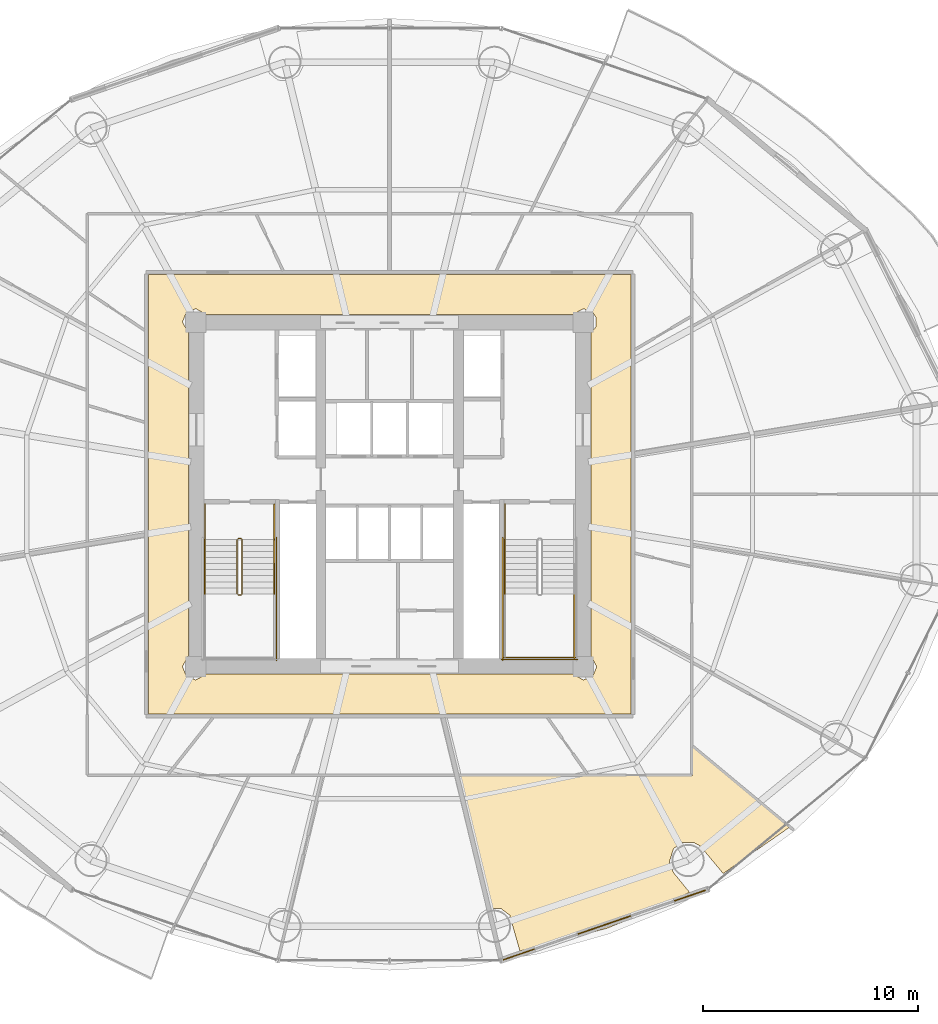
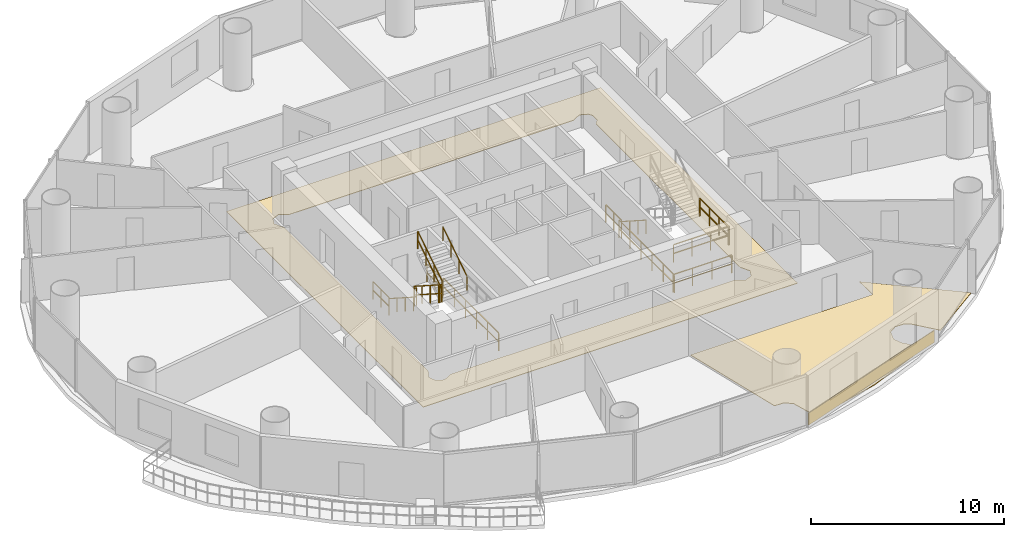
# One storey, part 27 of 29: 15 railings, 3 coverings.
"""IFC4 building model written with IfcOpenShell, lengths in metres."""

from ifc_helpers import new_model, si_unit, direction, frame, origin, origin_2d, place, context, subcontext, project, spatial, polyline, rectangle, outline, extrude, source, transform, mapped, material, layer, layer_set, type_object, element, save


model = new_model("IFC4")

# Units and contexts
model_context = context("Model", 3, precision=1e-05, world=origin(), true_north=direction((-0.2419218956, 0.970295726276)))
body_context = subcontext(model_context, "Body", "Model", "MODEL_VIEW")
ifc_project = project(units=[si_unit("LENGTHUNIT", "METRE"), si_unit("AREAUNIT", "SQUARE_METRE"), si_unit("VOLUMEUNIT", "CUBIC_METRE"), si_unit("PLANEANGLEUNIT", "RADIAN"), si_unit("MASSUNIT", "GRAM", prefix="KILO")], contexts=[model_context])

# Site, building, storey
site_placement = place(None, origin())
site = spatial("IfcSite", under=ifc_project, at=site_placement, CompositionType="ELEMENT")
building_placement = place(site_placement, origin())
building = spatial("IfcBuilding", under=site, at=building_placement, Name="Cobrevalo Terracotta Tower", CompositionType="ELEMENT")
storey_placement = place(building_placement, frame((0.0, 0.0, 83.39990234375)))
storey = spatial("IfcBuildingStorey", under=building, at=storey_placement, Name="L21", CompositionType="ELEMENT", Elevation=83.39990234375)

# Coverings
ifc_material_1 = material(Name="Engineered Brazilian hardwood flooring", Category="wood")
ifc_layer_1 = layer(ifc_material_1, 0.028076171875)
ifc_layer_set_1 = layer_set([ifc_layer_1], Name="Engineered Brazilian hardwood flooring")
covering_type_1 = type_object("IfcCoveringType", Name="Engineered Hardwood Suite Flooring 28", PredefinedType="FLOORING", material=ifc_layer_set_1)
covering_1_placement = place(storey_placement, origin())
element("IfcCovering", 1, at=covering_1_placement, inside=storey, type_object=covering_type_1, Name="Flat L21D Penthouse Living and Dining Room floor finish", PredefinedType="FLOORING", context=body_context, shape_type="SweptSolid", body=[
    extrude(outline(polyline([(53.488525390625, 9.193359375), (52.422119140625, 10.474853515625), (52.11962890625, 10.6376953125), (51.608642578125, 10.639404296875), (51.18310546875, 10.35693359375), (50.9853515625, 9.713134765625), (51.1787109375, 9.2412109375), (51.92431640625, 8.32666015625), (51.161376953125, 7.904052734375), (48.073486328125, 6.641357421875), (44.05078125, 5.59814453125), (43.578125, 7.261962890625), (43.170166015625, 7.5693359375), (42.62109375, 7.584716796875), (41.146240234375, 13.7451171875), (52.054931640625, 13.7451171875), (52.054931640625, 15.0966796875), (56.57275390625, 11.34326171875), (53.488525390625, 9.193359375)])), origin(), (0.0, 0.0, 1.0), 0.030029296875),
])
ifc_material_2 = material(Name="Honed terracotta and granite tile", Category="masonry")
ifc_layer_2 = layer(ifc_material_2, 0.034912109375)
ifc_layer_set_2 = layer_set([ifc_layer_2], Name="Honed terracotta and granite tile")
covering_type_2 = type_object("IfcCoveringType", Name="Honed Terracotta & Granite Interior Flooring 35", PredefinedType="FLOORING", material=ifc_layer_set_2)
covering_2_placement = place(storey_placement, origin())
element("IfcCovering", 2, at=covering_2_placement, inside=storey, type_object=covering_type_2, Name="L21 Residential Floor Corridor floor finish", PredefinedType="FLOORING", context=body_context, shape_type="SweptSolid", body=[
    extrude(outline(polyline([(49.205078125, 37.0048828125), (49.205078125, 16.594970703125), (26.794921875, 16.594970703125), (26.794921875, 37.0048828125), (49.205078125, 37.0048828125)]), holes=[polyline([(47.344970703125, 34.298828125), (47.5732421875, 34.5625), (47.5732421875, 35.037353515625), (47.438720703125, 35.23876953125), (47.0, 35.42041015625), (46.498779296875, 35.14501953125), (29.501220703125, 35.14501953125), (29.0, 35.42041015625), (28.561279296875, 35.23876953125), (28.379638671875, 34.800048828125), (28.655029296875, 34.298828125), (28.655029296875, 19.30126953125), (28.379638671875, 18.800048828125), (28.561279296875, 18.361328125), (29.0, 18.1796875), (29.501220703125, 18.455078125), (46.498779296875, 18.455078125), (47.0, 18.1796875), (47.438720703125, 18.361328125), (47.620361328125, 18.800048828125), (47.344970703125, 19.30126953125), (47.344970703125, 34.298828125)])]), origin(), (0.0, 0.0, 1.0), 0.030029296875),
])

# Railings
ifc_material_3 = material(Name="Brushed stainless steel", Category="steel")
railing_type_1 = type_object("IfcRailingType", Name="Stainless Steel Stair Handrail 900", PredefinedType="HANDRAIL", material=ifc_material_3)
railing_1_placement = place(storey_placement, frame((29.425048828125, 24.699951171875, 0.18017578125)))
element("IfcRailing", 3, at=railing_1_placement, inside=storey, type_object=railing_type_1, Name="L21 ST-1 stair handrail 1", PredefinedType="HANDRAIL", context=body_context, shape_type="SweptSolid", body=[
    extrude(rectangle(XDim=0.048095703125, YDim=0.048095703125, at=origin_2d()), frame((0.0, 0.0, 0.8759765625), z_axis=(0.0, -0.841199657755, 0.540724639528), x_axis=(1.0, 0.0, 0.0)), (0.0, 0.0, 1.0), 2.995849609375),
    extrude(rectangle(XDim=0.0419921875, YDim=0.0419921875, at=origin_2d()), origin(), (0.0, 0.0, 1.0), 0.851806640625),
    extrude(rectangle(XDim=0.0419921875, YDim=0.0419921875, at=origin_2d()), frame((0.0, -0.840087890625, 0.5400390625)), (0.0, 0.0, 1.0), 0.851806640625),
    extrude(rectangle(XDim=0.0419921875, YDim=0.0419921875, at=origin_2d()), frame((0.0, -1.679931640625, 1.079833984375)), (0.0, 0.0, 1.0), 0.851806640625),
    extrude(rectangle(XDim=0.0419921875, YDim=0.0419921875, at=origin_2d()), frame((0.0, -2.52001953125, 1.619873046875)), (0.0, 0.0, 1.0), 0.851806640625),
])
railing_2_placement = place(storey_placement, frame((32.64501953125, 22.179931640625, 1.97998046875)))
element("IfcRailing", 4, at=railing_2_placement, inside=storey, type_object=railing_type_1, Name="L21 ST-1 stair handrail 2", PredefinedType="HANDRAIL", context=body_context, shape_type="SweptSolid", body=[
    extrude(rectangle(XDim=0.048095703125, YDim=0.048095703125, at=origin_2d()), frame((0.0, 0.0, 0.8759765625), z_axis=(0.0, 0.841162588446, 0.540782303519), x_axis=(-1.0, 0.0, 0.0)), (0.0, 0.0, 1.0), 2.995849609375),
    extrude(rectangle(XDim=0.0419921875, YDim=0.0419921875, at=origin_2d()), origin(), (0.0, 0.0, 1.0), 0.851806640625),
    extrude(rectangle(XDim=0.0419921875, YDim=0.0419921875, at=origin_2d()), frame((0.0, 0.840087890625, 0.5400390625)), (0.0, 0.0, 1.0), 0.851806640625),
    extrude(rectangle(XDim=0.0419921875, YDim=0.0419921875, at=origin_2d()), frame((0.0, 1.679931640625, 1.080078125)), (0.0, 0.0, 1.0), 0.851806640625),
    extrude(rectangle(XDim=0.0419921875, YDim=0.0419921875, at=origin_2d()), frame((0.0, 2.52001953125, 1.6201171875)), (0.0, 0.0, 1.0), 0.851806640625),
])
railing_3_placement = place(storey_placement, frame((43.35498046875, 24.699951171875, 0.18017578125)))
element("IfcRailing", 5, at=railing_3_placement, inside=storey, type_object=railing_type_1, Name="L21 ST-2 stair handrail 1", PredefinedType="HANDRAIL", context=body_context, shape_type="SweptSolid", body=[
    extrude(rectangle(XDim=0.048095703125, YDim=0.048095703125, at=origin_2d()), frame((0.0, 0.0, 0.8759765625), z_axis=(0.0, -0.841199657755, 0.540724639528), x_axis=(1.0, 0.0, 0.0)), (0.0, 0.0, 1.0), 2.995849609375),
    extrude(rectangle(XDim=0.0419921875, YDim=0.0419921875, at=origin_2d()), origin(), (0.0, 0.0, 1.0), 0.851806640625),
    extrude(rectangle(XDim=0.0419921875, YDim=0.0419921875, at=origin_2d()), frame((0.0, -0.840087890625, 0.5400390625)), (0.0, 0.0, 1.0), 0.851806640625),
    extrude(rectangle(XDim=0.0419921875, YDim=0.0419921875, at=origin_2d()), frame((0.0, -1.679931640625, 1.079833984375)), (0.0, 0.0, 1.0), 0.851806640625),
    extrude(rectangle(XDim=0.0419921875, YDim=0.0419921875, at=origin_2d()), frame((0.0, -2.52001953125, 1.619873046875)), (0.0, 0.0, 1.0), 0.851806640625),
])
ifc_material_4 = material(Name="Painted galvanized steel", Category="steel")
railing_type_2 = type_object("IfcRailingType", Name="Stair Well Guard Balustrade 1150", PredefinedType="GUARDRAIL", material=ifc_material_4)
railing_4_placement = place(storey_placement, frame((30.925048828125, 24.699951171875, 0.18017578125)))
element("IfcRailing", 6, at=railing_4_placement, inside=storey, type_object=railing_type_2, Name="L21 ST-1 stair guard 1", PredefinedType="GUARDRAIL", context=body_context, shape_type="SweptSolid", body=[
    extrude(rectangle(XDim=0.048095703125, YDim=0.048095703125, at=origin_2d()), frame((0.0, 0.0, 1.1259765625), z_axis=(0.0, -0.841199657755, 0.540724639528), x_axis=(1.0, 0.0, 0.0)), (0.0, 0.0, 1.0), 2.995849609375),
    extrude(rectangle(XDim=0.048095703125, YDim=0.048095703125, at=origin_2d()), frame((0.0, 0.0, 0.574951171875), z_axis=(0.0, -0.841199657755, 0.540724639528), x_axis=(1.0, 0.0, 0.0)), (0.0, 0.0, 1.0), 2.995849609375),
    extrude(rectangle(XDim=0.0419921875, YDim=0.0419921875, at=origin_2d()), origin(), (0.0, 0.0, 1.0), 1.101806640625),
    extrude(rectangle(XDim=0.0419921875, YDim=0.0419921875, at=origin_2d()), frame((0.0, -0.840087890625, 0.5400390625)), (0.0, 0.0, 1.0), 1.101806640625),
    extrude(rectangle(XDim=0.0419921875, YDim=0.0419921875, at=origin_2d()), frame((0.0, -1.679931640625, 1.079833984375)), (0.0, 0.0, 1.0), 1.101806640625),
    extrude(rectangle(XDim=0.0419921875, YDim=0.0419921875, at=origin_2d()), frame((0.0, -2.52001953125, 1.619873046875)), (0.0, 0.0, 1.0), 1.101806640625),
])
railing_5_placement = place(storey_placement, frame((30.97509765625, 22.1298828125, 1.800048828125)))
element("IfcRailing", 7, at=railing_5_placement, inside=storey, type_object=railing_type_2, Name="L21 ST-1 stair guard 2", PredefinedType="GUARDRAIL", context=body_context, shape_type="SweptSolid", body=[
    extrude(rectangle(XDim=0.048095703125, YDim=0.048095703125, at=origin_2d()), frame((0.0, 0.0, 1.1259765625), z_axis=(1.0, 0.0, 0.0), x_axis=(0.0, 1.0, 0.0)), (0.0, 0.0, 1.0), 0.119873046875),
    extrude(rectangle(XDim=0.048095703125, YDim=0.048095703125, at=origin_2d()), frame((0.0, 0.0, 0.574951171875), z_axis=(1.0, 0.0, 0.0), x_axis=(0.0, 1.0, 0.0)), (0.0, 0.0, 1.0), 0.119873046875),
    extrude(rectangle(XDim=0.0419921875, YDim=0.0419921875, at=origin_2d()), origin(), (0.0, 0.0, 1.0), 1.101806640625),
    extrude(rectangle(XDim=0.0419921875, YDim=0.0419921875, at=origin_2d()), frame((0.119873046875, 0.0, 0.0)), (0.0, 0.0, 1.0), 1.101806640625),
])
railing_6_placement = place(storey_placement, frame((31.14501953125, 22.179931640625, 1.97998046875)))
element("IfcRailing", 8, at=railing_6_placement, inside=storey, type_object=railing_type_2, Name="L21 ST-1 stair guard 6", PredefinedType="GUARDRAIL", context=body_context, shape_type="SweptSolid", body=[
    extrude(rectangle(XDim=0.048095703125, YDim=0.048095703125, at=origin_2d()), frame((0.0, 0.0, 1.1259765625), z_axis=(0.0, 0.841162588446, 0.540782303519), x_axis=(-1.0, 0.0, 0.0)), (0.0, 0.0, 1.0), 2.995849609375),
    extrude(rectangle(XDim=0.048095703125, YDim=0.048095703125, at=origin_2d()), frame((0.0, 0.0, 0.574951171875), z_axis=(0.0, 0.841162588446, 0.540782303519), x_axis=(-1.0, 0.0, 0.0)), (0.0, 0.0, 1.0), 2.995849609375),
    extrude(rectangle(XDim=0.0419921875, YDim=0.0419921875, at=origin_2d()), origin(), (0.0, 0.0, 1.0), 1.101806640625),
    extrude(rectangle(XDim=0.0419921875, YDim=0.0419921875, at=origin_2d()), frame((0.0, 0.840087890625, 0.5400390625)), (0.0, 0.0, 1.0), 1.101806640625),
    extrude(rectangle(XDim=0.0419921875, YDim=0.0419921875, at=origin_2d()), frame((0.0, 1.679931640625, 1.080078125)), (0.0, 0.0, 1.0), 1.101806640625),
    extrude(rectangle(XDim=0.0419921875, YDim=0.0419921875, at=origin_2d()), frame((0.0, 2.52001953125, 1.6201171875)), (0.0, 0.0, 1.0), 1.101806640625),
])
railing_7_placement = place(storey_placement, frame((30.97509765625, 24.75, 0.0)))
element("IfcRailing", 9, at=railing_7_placement, inside=storey, type_object=railing_type_2, Name="L21 ST-1 stair guard 7", PredefinedType="GUARDRAIL", context=body_context, shape_type="SweptSolid", body=[
    extrude(rectangle(XDim=0.048095703125, YDim=0.048095703125, at=origin_2d()), frame((0.0, 0.0, 1.1259765625), z_axis=(1.0, 0.0, 0.0), x_axis=(0.0, 1.0, 0.0)), (0.0, 0.0, 1.0), 0.119873046875),
    extrude(rectangle(XDim=0.048095703125, YDim=0.048095703125, at=origin_2d()), frame((0.0, 0.0, 0.574951171875), z_axis=(1.0, 0.0, 0.0), x_axis=(0.0, 1.0, 0.0)), (0.0, 0.0, 1.0), 0.119873046875),
    extrude(rectangle(XDim=0.0419921875, YDim=0.0419921875, at=origin_2d()), origin(), (0.0, 0.0, 1.0), 1.101806640625),
    extrude(rectangle(XDim=0.0419921875, YDim=0.0419921875, at=origin_2d()), frame((0.119873046875, 0.0, 0.0)), (0.0, 0.0, 1.0), 1.101806640625),
])
for number, where, name in (
    (10, (29.425048828125, 26.35009765625, 0.0), "L21 ST-1 stair guard 8"),
    (11, (32.64501953125, 26.35009765625, 0.0), "L21 ST-1 stair guard 9"),
):
    element("IfcRailing", number, at=place(storey_placement, frame(where)), inside=storey, type_object=railing_type_2, Name=name, PredefinedType="GUARDRAIL", context=body_context, shape_type="SweptSolid", body=[
        extrude(rectangle(XDim=0.048095703125, YDim=0.048095703125, at=origin_2d()), frame((0.0, 0.0, 1.1259765625), z_axis=(0.0, -1.0, 0.0), x_axis=(1.0, 0.0, 0.0)), (0.0, 0.0, 1.0), 1.650146484375),
        extrude(rectangle(XDim=0.048095703125, YDim=0.048095703125, at=origin_2d()), frame((0.0, 0.0, 0.574951171875), z_axis=(0.0, -1.0, 0.0), x_axis=(1.0, 0.0, 0.0)), (0.0, 0.0, 1.0), 1.650146484375),
        extrude(rectangle(XDim=0.0419921875, YDim=0.0419921875, at=origin_2d()), origin(), (0.0, 0.0, 1.0), 1.101806640625),
        extrude(rectangle(XDim=0.0419921875, YDim=0.0419921875, at=origin_2d()), frame((0.0, -0.8251953125, 0.0)), (0.0, 0.0, 1.0), 1.101806640625),
        extrude(rectangle(XDim=0.0419921875, YDim=0.0419921875, at=origin_2d()), frame((0.0, -1.650146484375, 0.0)), (0.0, 0.0, 1.0), 1.101806640625),
    ])
railing_8_placement = place(storey_placement, frame((32.7451171875, 24.800048828125, 0.0)))
element("IfcRailing", 12, at=railing_8_placement, inside=storey, type_object=railing_type_2, Name="L21 ST-1 stair guard 11", PredefinedType="GUARDRAIL", context=body_context, shape_type="SweptSolid", body=[
    extrude(rectangle(XDim=0.048095703125, YDim=0.048095703125, at=origin_2d()), frame((0.0, 0.0, 1.1259765625), z_axis=(0.0, -1.0, 0.0), x_axis=(1.0, 0.0, 0.0)), (0.0, 0.0, 1.0), 5.72509765625),
    extrude(rectangle(XDim=0.048095703125, YDim=0.048095703125, at=origin_2d()), frame((0.0, 0.0, 0.574951171875), z_axis=(0.0, -1.0, 0.0), x_axis=(1.0, 0.0, 0.0)), (0.0, 0.0, 1.0), 5.72509765625),
    extrude(rectangle(XDim=0.0419921875, YDim=0.0419921875, at=origin_2d()), origin(), (0.0, 0.0, 1.0), 1.101806640625),
    extrude(rectangle(XDim=0.0419921875, YDim=0.0419921875, at=origin_2d()), frame((0.0, -1.14501953125, 0.0)), (0.0, 0.0, 1.0), 1.101806640625),
    extrude(rectangle(XDim=0.0419921875, YDim=0.0419921875, at=origin_2d()), frame((0.0, -2.2900390625, 0.0)), (0.0, 0.0, 1.0), 1.101806640625),
    extrude(rectangle(XDim=0.0419921875, YDim=0.0419921875, at=origin_2d()), frame((0.0, -3.43505859375, 0.0)), (0.0, 0.0, 1.0), 1.101806640625),
    extrude(rectangle(XDim=0.0419921875, YDim=0.0419921875, at=origin_2d()), frame((0.0, -4.580078125, 0.0)), (0.0, 0.0, 1.0), 1.101806640625),
    extrude(rectangle(XDim=0.0419921875, YDim=0.0419921875, at=origin_2d()), frame((0.0, -5.72509765625, 0.0)), (0.0, 0.0, 1.0), 1.101806640625),
])
railing_9_placement = place(storey_placement, frame((46.574951171875, 22.179931640625, 1.800048828125)))
element("IfcRailing", 13, at=railing_9_placement, inside=storey, type_object=railing_type_2, Name="L21 ST-2 stair guard 4", PredefinedType="GUARDRAIL", context=body_context, shape_type="SweptSolid", body=[
    extrude(rectangle(XDim=0.048095703125, YDim=0.048095703125, at=origin_2d()), frame((0.0, 0.0, 1.1259765625), z_axis=(0.0, -1.0, 0.0), x_axis=(1.0, 0.0, 0.0)), (0.0, 0.0, 1.0), 3.0048828125),
    extrude(rectangle(XDim=0.048095703125, YDim=0.048095703125, at=origin_2d()), frame((0.0, 0.0, 0.574951171875), z_axis=(0.0, -1.0, 0.0), x_axis=(1.0, 0.0, 0.0)), (0.0, 0.0, 1.0), 3.0048828125),
    extrude(rectangle(XDim=0.0419921875, YDim=0.0419921875, at=origin_2d()), origin(), (0.0, 0.0, 1.0), 1.101806640625),
    extrude(rectangle(XDim=0.0419921875, YDim=0.0419921875, at=origin_2d()), frame((0.0, -1.001708984375, 0.0)), (0.0, 0.0, 1.0), 1.101806640625),
    extrude(rectangle(XDim=0.0419921875, YDim=0.0419921875, at=origin_2d()), frame((0.0, -2.003173828125, 0.0)), (0.0, 0.0, 1.0), 1.101806640625),
    extrude(rectangle(XDim=0.0419921875, YDim=0.0419921875, at=origin_2d()), frame((0.0, -3.0048828125, 0.0)), (0.0, 0.0, 1.0), 1.101806640625),
])
railing_10_placement = place(storey_placement, frame((43.304931640625, 19.22509765625, 1.800048828125)))
element("IfcRailing", 14, at=railing_10_placement, inside=storey, type_object=railing_type_2, Name="L21 ST-2 stair guard 5", PredefinedType="GUARDRAIL", context=body_context, shape_type="SweptSolid", body=[
    extrude(rectangle(XDim=0.048095703125, YDim=0.048095703125, at=origin_2d()), frame((0.0, 0.0, 1.1259765625), z_axis=(1.0, 0.0, 0.0), x_axis=(0.0, 1.0, 0.0)), (0.0, 0.0, 1.0), 3.320068359375),
    extrude(rectangle(XDim=0.048095703125, YDim=0.048095703125, at=origin_2d()), frame((0.0, 0.0, 0.574951171875), z_axis=(1.0, 0.0, 0.0), x_axis=(0.0, 1.0, 0.0)), (0.0, 0.0, 1.0), 3.320068359375),
    extrude(rectangle(XDim=0.0419921875, YDim=0.0419921875, at=origin_2d()), origin(), (0.0, 0.0, 1.0), 1.101806640625),
    extrude(rectangle(XDim=0.0419921875, YDim=0.0419921875, at=origin_2d()), frame((1.106689453125, 0.0, 0.0)), (0.0, 0.0, 1.0), 1.101806640625),
    extrude(rectangle(XDim=0.0419921875, YDim=0.0419921875, at=origin_2d()), frame((2.21337890625, 0.0, 0.0)), (0.0, 0.0, 1.0), 1.101806640625),
    extrude(rectangle(XDim=0.0419921875, YDim=0.0419921875, at=origin_2d()), frame((3.320068359375, 0.0, 0.0)), (0.0, 0.0, 1.0), 1.101806640625),
])
railing_11_placement = place(storey_placement, frame((43.35498046875, 26.35009765625, 0.0)))
element("IfcRailing", 15, at=railing_11_placement, inside=storey, type_object=railing_type_2, Name="L21 ST-2 stair guard 8", PredefinedType="GUARDRAIL", context=body_context, shape_type="SweptSolid", body=[
    extrude(rectangle(XDim=0.048095703125, YDim=0.048095703125, at=origin_2d()), frame((0.0, 0.0, 1.1259765625), z_axis=(0.0, -1.0, 0.0), x_axis=(1.0, 0.0, 0.0)), (0.0, 0.0, 1.0), 1.650146484375),
    extrude(rectangle(XDim=0.048095703125, YDim=0.048095703125, at=origin_2d()), frame((0.0, 0.0, 0.574951171875), z_axis=(0.0, -1.0, 0.0), x_axis=(1.0, 0.0, 0.0)), (0.0, 0.0, 1.0), 1.650146484375),
    extrude(rectangle(XDim=0.0419921875, YDim=0.0419921875, at=origin_2d()), origin(), (0.0, 0.0, 1.0), 1.101806640625),
    extrude(rectangle(XDim=0.0419921875, YDim=0.0419921875, at=origin_2d()), frame((0.0, -0.8251953125, 0.0)), (0.0, 0.0, 1.0), 1.101806640625),
    extrude(rectangle(XDim=0.0419921875, YDim=0.0419921875, at=origin_2d()), frame((0.0, -1.650146484375, 0.0)), (0.0, 0.0, 1.0), 1.101806640625),
])
railing_12_placement = place(storey_placement, frame((43.2548828125, 24.800048828125, 0.0)))
element("IfcRailing", 16, at=railing_12_placement, inside=storey, type_object=railing_type_2, Name="L21 ST-2 stair guard 10", PredefinedType="GUARDRAIL", context=body_context, shape_type="SweptSolid", body=[
    extrude(rectangle(XDim=0.048095703125, YDim=0.048095703125, at=origin_2d()), frame((0.0, 0.0, 1.1259765625), z_axis=(0.0, -1.0, 0.0), x_axis=(1.0, 0.0, 0.0)), (0.0, 0.0, 1.0), 5.72509765625),
    extrude(rectangle(XDim=0.048095703125, YDim=0.048095703125, at=origin_2d()), frame((0.0, 0.0, 0.574951171875), z_axis=(0.0, -1.0, 0.0), x_axis=(1.0, 0.0, 0.0)), (0.0, 0.0, 1.0), 5.72509765625),
    extrude(rectangle(XDim=0.0419921875, YDim=0.0419921875, at=origin_2d()), origin(), (0.0, 0.0, 1.0), 1.101806640625),
    extrude(rectangle(XDim=0.0419921875, YDim=0.0419921875, at=origin_2d()), frame((0.0, -1.14501953125, 0.0)), (0.0, 0.0, 1.0), 1.101806640625),
    extrude(rectangle(XDim=0.0419921875, YDim=0.0419921875, at=origin_2d()), frame((0.0, -2.2900390625, 0.0)), (0.0, 0.0, 1.0), 1.101806640625),
    extrude(rectangle(XDim=0.0419921875, YDim=0.0419921875, at=origin_2d()), frame((0.0, -3.43505859375, 0.0)), (0.0, 0.0, 1.0), 1.101806640625),
    extrude(rectangle(XDim=0.0419921875, YDim=0.0419921875, at=origin_2d()), frame((0.0, -4.580078125, 0.0)), (0.0, 0.0, 1.0), 1.101806640625),
    extrude(rectangle(XDim=0.0419921875, YDim=0.0419921875, at=origin_2d()), frame((0.0, -5.72509765625, 0.0)), (0.0, 0.0, 1.0), 1.101806640625),
])
railing_13_placement = place(storey_placement, frame((43.205078125, 19.125, 0.0)))
element("IfcRailing", 17, at=railing_13_placement, inside=storey, type_object=railing_type_2, Name="L21 ST-2 stair guard 12", PredefinedType="GUARDRAIL", context=body_context, shape_type="SweptSolid", body=[
    extrude(rectangle(XDim=0.048095703125, YDim=0.048095703125, at=origin_2d()), frame((0.0, 0.0, 1.1259765625), z_axis=(1.0, 0.0, 0.0), x_axis=(0.0, 1.0, 0.0)), (0.0, 0.0, 1.0), 3.52001953125),
    extrude(rectangle(XDim=0.048095703125, YDim=0.048095703125, at=origin_2d()), frame((0.0, 0.0, 0.574951171875), z_axis=(1.0, 0.0, 0.0), x_axis=(0.0, 1.0, 0.0)), (0.0, 0.0, 1.0), 3.52001953125),
    extrude(rectangle(XDim=0.0419921875, YDim=0.0419921875, at=origin_2d()), origin(), (0.0, 0.0, 1.0), 1.101806640625),
    extrude(rectangle(XDim=0.0419921875, YDim=0.0419921875, at=origin_2d()), frame((1.17333984375, 0.0, 0.0)), (0.0, 0.0, 1.0), 1.101806640625),
    extrude(rectangle(XDim=0.0419921875, YDim=0.0419921875, at=origin_2d()), frame((2.3466796875, 0.0, 0.0)), (0.0, 0.0, 1.0), 1.101806640625),
    extrude(rectangle(XDim=0.0419921875, YDim=0.0419921875, at=origin_2d()), frame((3.52001953125, 0.0, 0.0)), (0.0, 0.0, 1.0), 1.101806640625),
])

# Covering
ifc_material_5 = material(Name="Glazed terracotta facade cladding tile", Category="masonry")
ifc_layer_3 = layer(ifc_material_5, 0.044921875)
ifc_layer_set_3 = layer_set([ifc_layer_3], Name="Glazed terracotta facade cladding tile")
covering_type_3 = type_object("IfcCoveringType", Name="Architectural terracotta rainscreen spandrel cladding 45 mm", PredefinedType="CLADDING", material=ifc_layer_set_3)
shared_shape = source(origin(), body_context, "Body", "SweptSolid", [
    extrude(rectangle(XDim=9.928955078125, YDim=0.044921875, at=origin_2d()), origin(), (0.0, 0.0, 1.0), 0.760009765625),
])
covering_3_placement = place(storey_placement, frame((47.972412109375, 6.8017578125, 0.0400390625), z_axis=(0.0, 0.0, 1.0), x_axis=(0.945596395206, 0.325342062104, 0.0)))
element("IfcCovering", 18, at=covering_3_placement, inside=storey, type_object=covering_type_3, Name="L21 terracotta spandrel cladding S13", PredefinedType="CLADDING", context=body_context, shape_type="MappedRepresentation", body=[
    mapped(shared_shape, transform((0.0, 0.0, 0.0), scale=1.0)),
])

save(model, "model.ifc")
